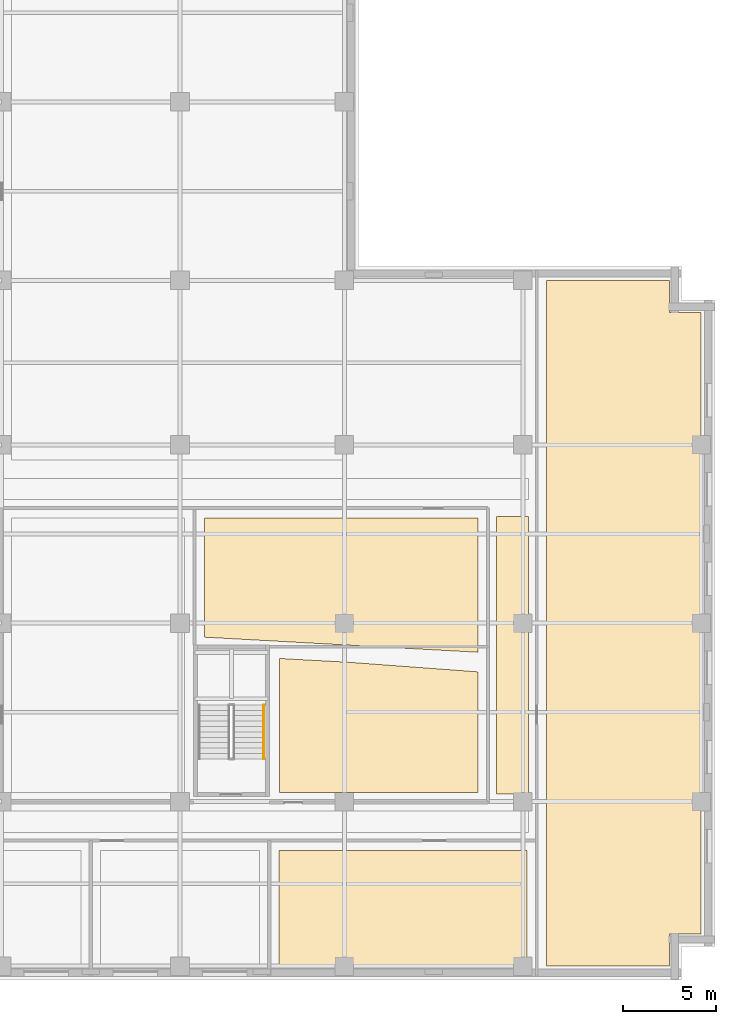
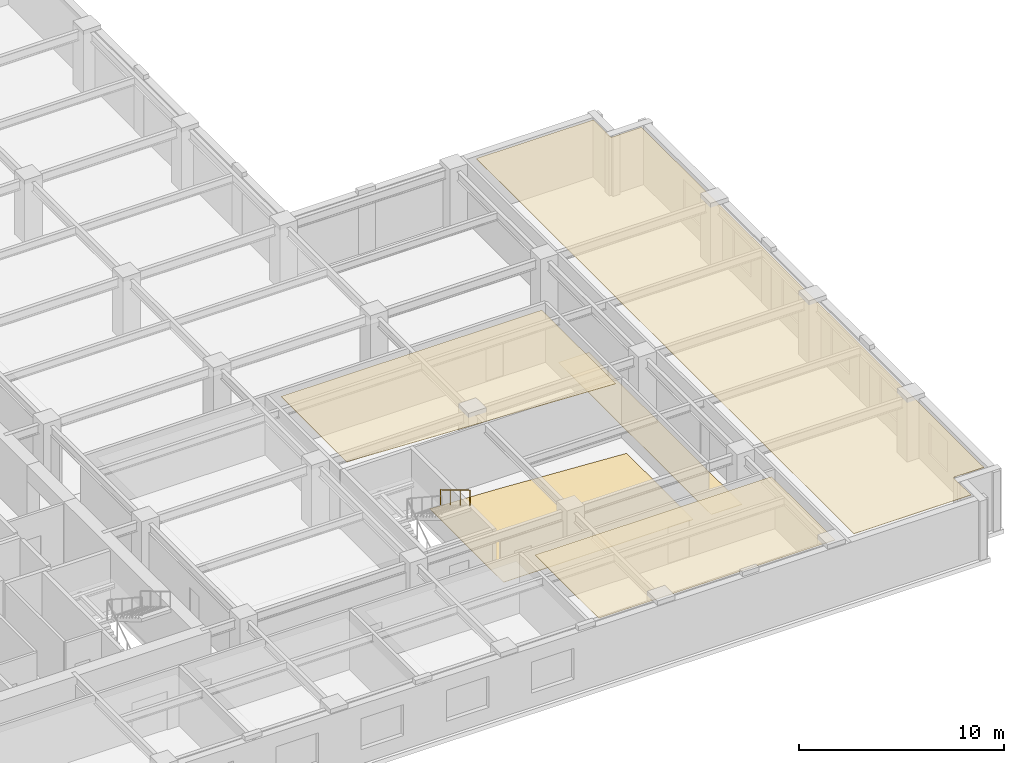
# One storey, part 8 of 11: 5 coverings, 1 railing.
"""IFC4 building model written with IfcOpenShell, lengths in metres."""

from ifc_helpers import new_model, si_unit, direction, frame, origin, origin_2d, place, context, subcontext, project, spatial, polyline, circle, outline, extrude, material, layer, layer_set, type_object, element, save


model = new_model("IFC4")

# Units and contexts
model_context = context("Model", 3, precision=1e-05, world=origin(), true_north=direction((0.0, 1.0)))
body_context = subcontext(model_context, "Body", "Model", "MODEL_VIEW")
ifc_project = project(units=[si_unit("LENGTHUNIT", "METRE"), si_unit("AREAUNIT", "SQUARE_METRE"), si_unit("VOLUMEUNIT", "CUBIC_METRE"), si_unit("PLANEANGLEUNIT", "RADIAN"), si_unit("MASSUNIT", "GRAM", prefix="KILO")], contexts=[model_context])

# Site, building, storey
site_placement = place(None, origin())
site = spatial("IfcSite", under=ifc_project, at=site_placement, CompositionType="ELEMENT")
building_placement = place(site_placement, origin())
building = spatial("IfcBuilding", under=site, at=building_placement, Name="Norrvale University Quadrangle", CompositionType="ELEMENT")
storey_placement = place(building_placement, frame((0.0, 0.0, 120.39990234375)))
storey = spatial("IfcBuildingStorey", under=building, at=storey_placement, Name="L30", CompositionType="ELEMENT", Elevation=120.39990234375)

# Coverings
ifc_material_1 = material(Name="Perforated Acoustic Mineral Ceiling")
ifc_layer_1 = layer(ifc_material_1, 0.02490234375, Name="Perforated Acoustic Mineral Ceiling")
ifc_layer_set_1 = layer_set([ifc_layer_1], Name="Perforated Acoustic Mineral Ceiling")
covering_type_1 = type_object("IfcCoveringType", Name="Covering Acoustic Ceiling 25", PredefinedType="CEILING", material=ifc_layer_set_1)
covering_1_placement = place(storey_placement, frame((0.0, 0.0, 3.51513671875)))
element("IfcCovering", 1, at=covering_1_placement, inside=storey, type_object=covering_type_1, Name="Acoustic Ceiling RM-L30-S04", PredefinedType="CEILING", context=body_context, shape_type="SweptSolid", body=[
    extrude(outline(polyline([(34.1298828125, 6.969970703125), (47.469970703125, 6.969970703125), (47.469970703125, 0.75), (34.1298828125, 0.75), (34.1298828125, 6.969970703125)])), origin(), (0.0, 0.0, 1.0), 0.02490234375),
])
covering_2_placement = place(storey_placement, frame((0.0, 0.0, 3.51513671875)))
element("IfcCovering", 2, at=covering_2_placement, inside=storey, type_object=covering_type_1, Name="Acoustic Ceiling RM-L30-E01", PredefinedType="CEILING", context=body_context, shape_type="SweptSolid", body=[
    extrude(outline(polyline([(48.530029296875, 0.75), (48.530029296875, 37.64990234375), (55.1298828125, 37.64990234375), (55.1298828125, 35.929931640625), (56.85009765625, 35.929931640625), (56.85009765625, 2.469970703125), (55.1298828125, 2.469970703125), (55.1298828125, 0.75), (48.530029296875, 0.75)])), origin(), (0.0, 0.0, 1.0), 0.02490234375),
])
covering_3_placement = place(storey_placement, frame((0.0, 0.0, 3.51513671875)))
element("IfcCovering", 3, at=covering_3_placement, inside=storey, type_object=covering_type_1, Name="Acoustic Ceiling RM-L30-ILH", PredefinedType="CEILING", context=body_context, shape_type="SweptSolid", body=[
    extrude(outline(polyline([(30.1298828125, 18.446044921875), (30.1298828125, 24.8701171875), (44.844970703125, 24.8701171875), (44.844970703125, 17.635009765625), (30.1298828125, 18.446044921875)])), origin(), (0.0, 0.0, 1.0), 0.02490234375),
])
ifc_material_2 = material(Name="Polished Terrazzo Flooring")
ifc_layer_2 = layer(ifc_material_2, 0.02490234375, Name="Polished Terrazzo Flooring")
ifc_layer_set_2 = layer_set([ifc_layer_2], Name="Polished Terrazzo Flooring")
covering_type_2 = type_object("IfcCoveringType", Name="Covering Terrazzo Floor 30", PredefinedType="FLOORING", material=ifc_layer_set_2)
covering_4_placement = place(storey_placement, origin())
element("IfcCovering", 4, at=covering_4_placement, inside=storey, type_object=covering_type_2, Name="Terrazzo Flooring RM-L30-CORR2", PredefinedType="FLOORING", context=body_context, shape_type="SweptSolid", body=[
    extrude(outline(polyline([(45.824951171875, 10.0), (45.824951171875, 24.949951171875), (47.550048828125, 24.949951171875), (47.550048828125, 10.0), (45.824951171875, 10.0)])), origin(), (0.0, 0.0, 1.0), 0.025146484375),
])
covering_5_placement = place(storey_placement, origin())
element("IfcCovering", 5, at=covering_5_placement, inside=storey, type_object=covering_type_2, Name="Terrazzo Flooring RM-L30-ISE", PredefinedType="FLOORING", context=body_context, shape_type="SweptSolid", body=[
    extrude(outline(polyline([(44.844970703125, 16.58203125), (44.844970703125, 10.080078125), (34.14990234375, 10.080078125), (34.14990234375, 17.303955078125), (37.93603515625, 17.094970703125), (44.844970703125, 16.58203125)])), origin(), (0.0, 0.0, 1.0), 0.025146484375),
])

# Railing
ifc_material_3 = material(Name="Stainless Steel 316L Handrail", Category="steel")
railing_type = type_object("IfcRailingType", Name="Railing Stair Handrail 920", PredefinedType="HANDRAIL", material=ifc_material_3)
railing_placement = place(storey_placement, frame((33.31005859375, 14.800048828125, 2.07275390625)))
element("IfcRailing", 6, at=railing_placement, inside=storey, type_object=railing_type, Name="Stair Upper Flight Handrail ST-04 L30", PredefinedType="HANDRAIL", context=body_context, shape_type="SweptSolid", body=[
    extrude(circle(Radius=0.02392578125, at=origin_2d()), frame((0.0, 0.0, 0.89599609375), z_axis=(0.0, -0.859160404282, 0.51170636083), x_axis=(1.0, 0.0, 0.0)), (0.0, 0.0, 1.0), 3.37548828125),
    extrude(circle(Radius=0.02099609375, at=origin_2d()), origin(), (0.0, 0.0, 1.0), 0.871826171875),
    extrude(circle(Radius=0.02099609375, at=origin_2d()), frame((0.0, -0.966796875, 0.57568359375)), (0.0, 0.0, 1.0), 0.871826171875),
    extrude(circle(Radius=0.02099609375, at=origin_2d()), frame((0.0, -1.933349609375, 1.151611328125)), (0.0, 0.0, 1.0), 0.871826171875),
    extrude(circle(Radius=0.02099609375, at=origin_2d()), frame((0.0, -2.900146484375, 1.727294921875)), (0.0, 0.0, 1.0), 0.871826171875),
])

save(model, "model.ifc")
